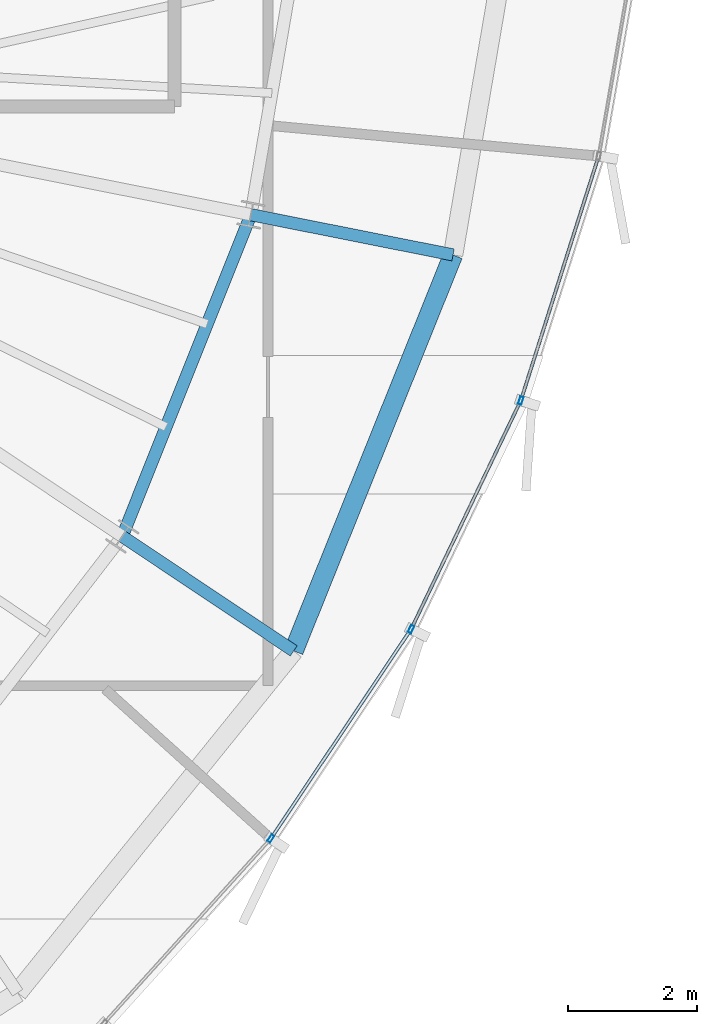
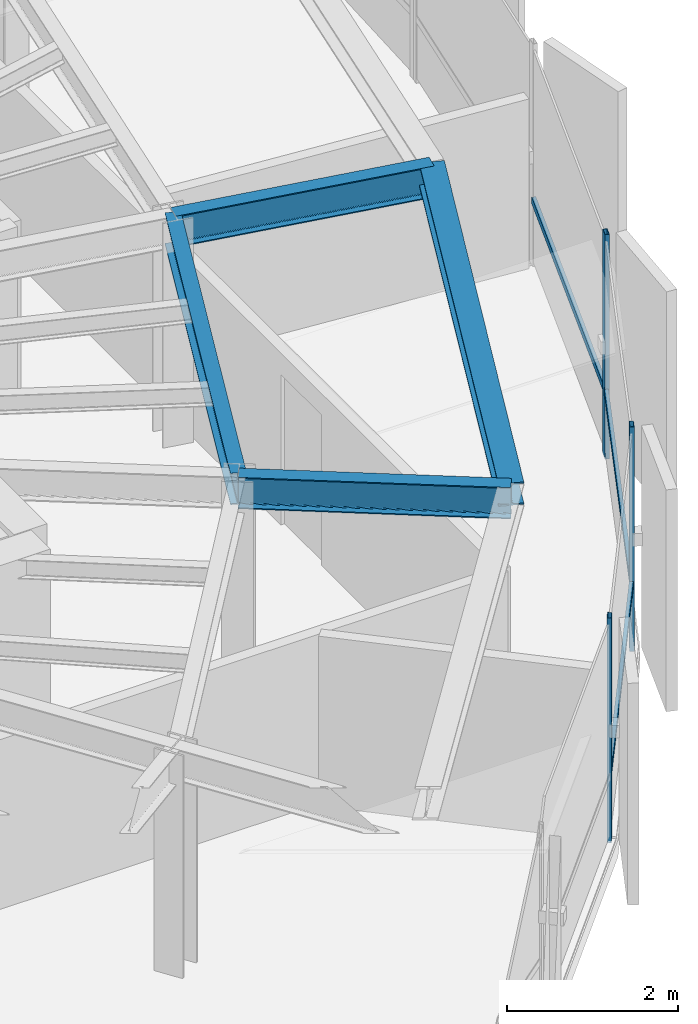
# One storey, part 14 of 31: 6 members, 4 beams, 1 element without a shape of its own.
"""IFC4 building model written with IfcOpenShell, lengths in metres."""

from ifc_helpers import new_model, si_unit, direction, frame, origin, origin_2d, place, context, subcontext, project, spatial, hollow_rectangle, i_section, extrude, source, transform, mapped, material, layer, layer_set, material_profile, profile_set, type_object, element, aggregate, save


model = new_model("IFC4")

# Units and contexts
model_context = context("Model", 3, precision=1e-05, world=origin(), true_north=direction((0.0, 1.0)))
body_context = subcontext(model_context, "Body", "Model", "MODEL_VIEW")
ifc_project = project(units=[si_unit("LENGTHUNIT", "METRE"), si_unit("AREAUNIT", "SQUARE_METRE"), si_unit("VOLUMEUNIT", "CUBIC_METRE"), si_unit("PLANEANGLEUNIT", "RADIAN"), si_unit("MASSUNIT", "GRAM", prefix="KILO"), si_unit("THERMODYNAMICTEMPERATUREUNIT", "KELVIN")], contexts=[model_context])

# Site, building, storey
site_placement = place(None, origin())
site = spatial("IfcSite", under=ifc_project, at=site_placement, CompositionType="ELEMENT")
building_placement = place(site_placement, origin())
building = spatial("IfcBuilding", under=site, at=building_placement, Name="Kethvar Cultural Tower", CompositionType="ELEMENT")
storey_placement = place(building_placement, frame((0.0, 0.0, 276.699951171875)))
storey = spatial("IfcBuildingStorey", under=building, at=storey_placement, Name="L73", CompositionType="ELEMENT", Elevation=276.699951171875)

# Beams
ifc_material_1 = material(Name="Steel S355J2", Category="steel")
ifc_material_profile_1 = material_profile(ifc_material_1, i_section(OverallWidth=0.18994140625, OverallDepth=0.449951171875, WebThickness=0.009521484375, FlangeThickness=0.0146484375, FilletRadius=0.02099609375, at=origin_2d()), Name="Steel S355J2 — IPE450")
ifc_profile_set_1 = profile_set([ifc_material_profile_1], Name="Steel S355J2 — IPE450")
beam_type_1 = type_object("IfcBeamType", Name="BM-IPE450", PredefinedType="BEAM", material=ifc_profile_set_1)
shared_shape_1 = source(origin(), body_context, "Body", "SweptSolid", [
    extrude(i_section(OverallWidth=0.18994140625, OverallDepth=0.449951171875, WebThickness=0.009521484375, FlangeThickness=0.0146484375, FilletRadius=0.02099609375, at=origin_2d()), origin(), (0.0, 0.0, 1.0), 3.199951171875),
])
for number, where, z_axis, x_axis, name in (
    (1, (58.287109375, 20.12451171875, 2.983154296875), (0.831462943996, -0.555580212716, 0.0), (0.555580212716, 0.831462943996, 0.0), "L73 Perimeter Cantilever Beam RC-15"),
    (2, (60.28369140625, 25.117919921875, 2.983154296875), (0.980785550224, -0.195088965533, 0.0), (0.195088965533, 0.980785550224, 0.0), "L73 Perimeter Cantilever Beam RC-16"),
):
    element("IfcBeam", number, at=place(storey_placement, frame(where, z_axis=z_axis, x_axis=x_axis)), inside=storey, type_object=beam_type_1, Name=name, PredefinedType="BEAM", context=body_context, shape_type="MappedRepresentation", body=[
        mapped(shared_shape_1, transform((0.0, 0.0, 0.0), scale=1.0)),
    ])
shared_shape_2 = source(origin(), body_context, "Body", "SweptSolid", [
    extrude(i_section(OverallWidth=0.18994140625, OverallDepth=0.449951171875, WebThickness=0.009521484375, FlangeThickness=0.0146484375, FilletRadius=0.02099609375, at=origin_2d()), origin(), (0.0, 0.0, 1.0), 5.377685546875),
])
beam_1_placement = place(storey_placement, frame((58.287109375, 20.12451171875, 2.983154296875), z_axis=(0.371265436914, 0.928526776864, 0.0), x_axis=(-0.928526776864, 0.371265436914, 0.0)))
element("IfcBeam", 3, at=beam_1_placement, inside=storey, type_object=beam_type_1, Name="L73 Column Ring Tie Beam CR-15", PredefinedType="BEAM", context=body_context, shape_type="MappedRepresentation", body=[
    mapped(shared_shape_2, transform((0.0, 0.0, 0.0), scale=1.0)),
])
ifc_material_profile_2 = material_profile(ifc_material_1, i_section(OverallWidth=0.300048828125, OverallDepth=0.320068359375, WebThickness=0.011474609375, FlangeThickness=0.0205078125, FilletRadius=0.027099609375, at=origin_2d()), Name="Steel S355J2 — HEB320")
ifc_profile_set_2 = profile_set([ifc_material_profile_2], Name="Steel S355J2 — HEB320")
beam_type_2 = type_object("IfcBeamType", Name="BM-SP320", PredefinedType="SPANDREL", material=ifc_profile_set_2)
shared_shape_3 = source(origin(), body_context, "Body", "SweptSolid", [
    extrude(i_section(OverallWidth=0.300048828125, OverallDepth=0.320068359375, WebThickness=0.011474609375, FlangeThickness=0.0205078125, FilletRadius=0.027099609375, at=origin_2d()), origin(), (0.0, 0.0, 1.0), 6.626220703125),
])
beam_2_placement = place(storey_placement, frame((60.94775390625, 18.3466796875, 3.048095703125), z_axis=(0.373416224197, 0.927663906545, 0.0), x_axis=(-0.927663906545, 0.373416224197, 0.0)))
element("IfcBeam", 4, at=beam_2_placement, inside=storey, type_object=beam_type_2, Name="L73 Perimeter Spandrel Beam SP-15", PredefinedType="SPANDREL", context=body_context, shape_type="MappedRepresentation", body=[
    mapped(shared_shape_3, transform((0.0, 0.0, 0.0), scale=1.0)),
])

# Curtain wall, members
ifc_material_2 = material(Name="Aluminium 6063-T6", Category="aluminium")
ifc_layer = layer(ifc_material_2, 0.179931640625, Name="Aluminium 6063-T6", Category="aluminium")
ifc_layer_set = layer_set([ifc_layer], Name="Aluminium 6063-T6 (180 mm)")
curtain_wall_type = type_object("IfcCurtainWallType", Name="CW-SYS-05-Z56", PredefinedType="NOTDEFINED", material=ifc_layer_set)
curtain_wall_placement = place(storey_placement, origin())
curtain_wall = element("IfcCurtainWall", 5, at=curtain_wall_placement, inside=storey, type_object=curtain_wall_type, Name="L73 Curtain Wall Run 05", PredefinedType="NOTDEFINED")
ifc_material_profile_3 = material_profile(ifc_material_2, hollow_rectangle(XDim=0.054931640625, YDim=0.1201171875, WallThickness=0.00390625, at=origin_2d()), Name="Aluminium 6063-T6 — RHS120x55x4")
ifc_profile_set_3 = profile_set([ifc_material_profile_3], Name="Aluminium 6063-T6 — RHS120x55x4")
member_type_1 = type_object("IfcMemberType", Name="CW-SYS-05-Z56-MUL", PredefinedType="MULLION", material=ifc_profile_set_3)
shared_shape_4 = source(origin(), body_context, "Body", "SweptSolid", [
    extrude(hollow_rectangle(XDim=0.054931640625, YDim=0.1201171875, WallThickness=0.00390625, at=origin_2d()), origin(), (0.0, 0.0, 1.0), 3.2099609375),
])
member_1_placement = place(storey_placement, frame((60.593017578125, 15.431884765625, 0.0), z_axis=(0.0, 0.0, 1.0), x_axis=(-0.830965050388, 0.556324621991, 0.0)))
member_1 = element("IfcMember", 6, at=member_1_placement, type_object=member_type_1, Name="CW-L73-R05 Mullion 3", PredefinedType="MULLION", context=body_context, shape_type="MappedRepresentation", body=[
    mapped(shared_shape_4, transform((0.0, 0.0, 0.0), scale=1.0)),
])
member_2_placement = place(storey_placement, frame((62.770263671875, 18.6826171875, 0.0), z_axis=(0.0, 0.0, 1.0), x_axis=(-0.901659003412, 0.432447732757, 0.0)))
member_2 = element("IfcMember", 7, at=member_2_placement, type_object=member_type_1, Name="CW-L73-R05 Mullion 4", PredefinedType="MULLION", context=body_context, shape_type="MappedRepresentation", body=[
    mapped(shared_shape_4, transform((0.0, 0.0, 0.0), scale=1.0)),
])
member_3_placement = place(storey_placement, frame((64.47412109375, 22.232666015625, 0.0), z_axis=(0.0, 0.0, 1.0), x_axis=(-0.952899974412, 0.303284748653, 0.0)))
member_3 = element("IfcMember", 8, at=member_3_placement, type_object=member_type_1, Name="CW-L73-R05 Mullion 5", PredefinedType="MULLION", context=body_context, shape_type="MappedRepresentation", body=[
    mapped(shared_shape_4, transform((0.0, 0.0, 0.0), scale=1.0)),
])
ifc_material_profile_4 = material_profile(ifc_material_2, hollow_rectangle(XDim=0.050048828125, YDim=0.10009765625, WallThickness=0.00390625, at=origin_2d()), Name="Aluminium 6063-T6 — RHS100x50x4")
ifc_profile_set_4 = profile_set([ifc_material_profile_4], Name="Aluminium 6063-T6 — RHS100x50x4")
member_type_2 = type_object("IfcMemberType", Name="CW-SYS-05-Z56-TRN", PredefinedType="USERDEFINED", material=ifc_profile_set_4)
shared_shape_5 = source(origin(), body_context, "Body", "SweptSolid", [
    extrude(hollow_rectangle(XDim=0.050048828125, YDim=0.10009765625, WallThickness=0.00390625, at=origin_2d()), origin(), (0.0, 0.0, 1.0), 3.872314453125),
])
member_4_placement = place(storey_placement, frame((62.78759765625, 18.71826171875, 0.949951171875), z_axis=(0.43245023853, 0.901657801605, 0.0), x_axis=(-0.901657801605, 0.43245023853, 0.0)))
member_4 = element("IfcMember", 9, at=member_4_placement, type_object=member_type_2, Name="CW-L73-R05 Transom 4", ObjectType="TRANSOM", PredefinedType="USERDEFINED", context=body_context, shape_type="MappedRepresentation", body=[
    mapped(shared_shape_5, transform((0.0, 0.0, 0.0), scale=1.0)),
])
shared_shape_6 = source(origin(), body_context, "Body", "SweptSolid", [
    extrude(hollow_rectangle(XDim=0.050048828125, YDim=0.10009765625, WallThickness=0.00390625, at=origin_2d()), origin(), (0.0, 0.0, 1.0), 3.84765625),
])
member_5_placement = place(storey_placement, frame((60.614990234375, 15.46484375, 0.949951171875), z_axis=(0.556295270735, 0.830984700074, 0.0), x_axis=(-0.830984700074, 0.556295270735, 0.0)))
member_5 = element("IfcMember", 10, at=member_5_placement, type_object=member_type_2, Name="CW-L73-R05 Transom 3", ObjectType="TRANSOM", PredefinedType="USERDEFINED", context=body_context, shape_type="MappedRepresentation", body=[
    mapped(shared_shape_6, transform((0.0, 0.0, 0.0), scale=1.0)),
])
shared_shape_7 = source(origin(), body_context, "Body", "SweptSolid", [
    extrude(hollow_rectangle(XDim=0.050048828125, YDim=0.10009765625, WallThickness=0.00390625, at=origin_2d()), origin(), (0.0, 0.0, 1.0), 3.91796875),
])
member_6_placement = place(storey_placement, frame((64.486083984375, 22.2705078125, 0.949951171875), z_axis=(0.303280817723, 0.952901225522, 0.0), x_axis=(-0.952901225522, 0.303280817723, 0.0)))
member_6 = element("IfcMember", 11, at=member_6_placement, type_object=member_type_2, Name="CW-L73-R05 Transom 5", ObjectType="TRANSOM", PredefinedType="USERDEFINED", context=body_context, shape_type="MappedRepresentation", body=[
    mapped(shared_shape_7, transform((0.0, 0.0, 0.0), scale=1.0)),
])
aggregate(curtain_wall, [member_1, member_2, member_3, member_5, member_4, member_6])

save(model, "model.ifc")
